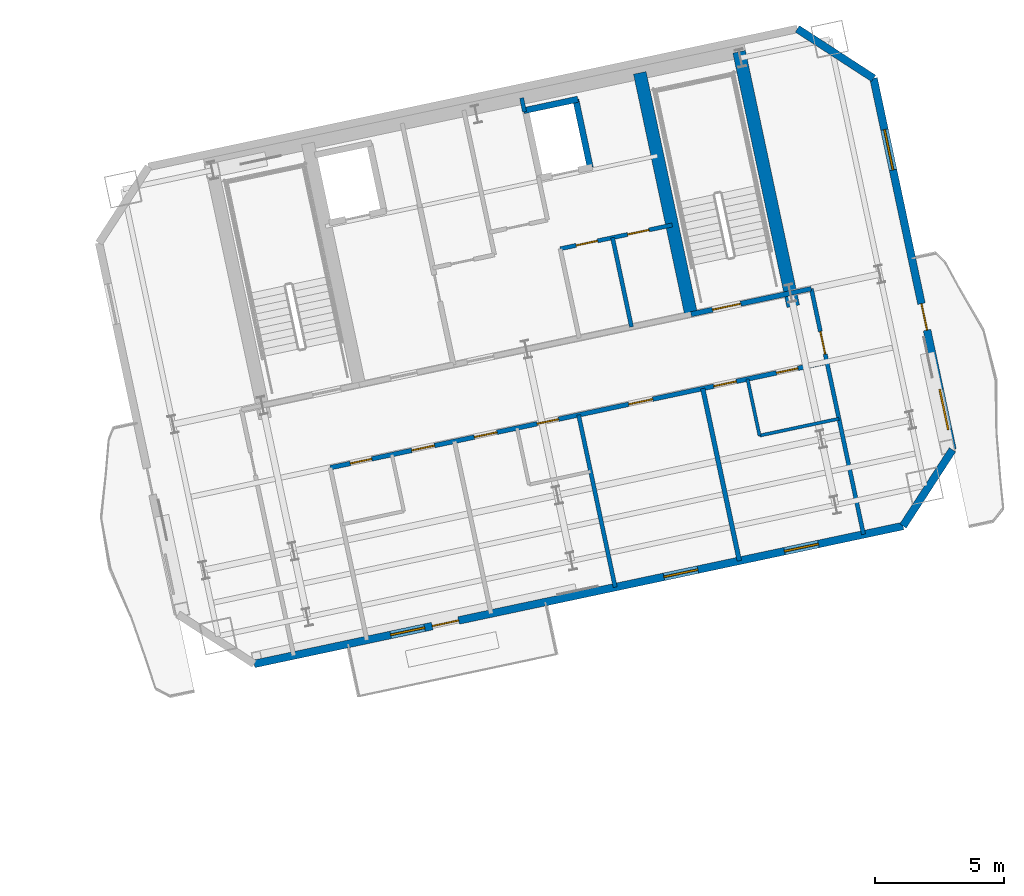
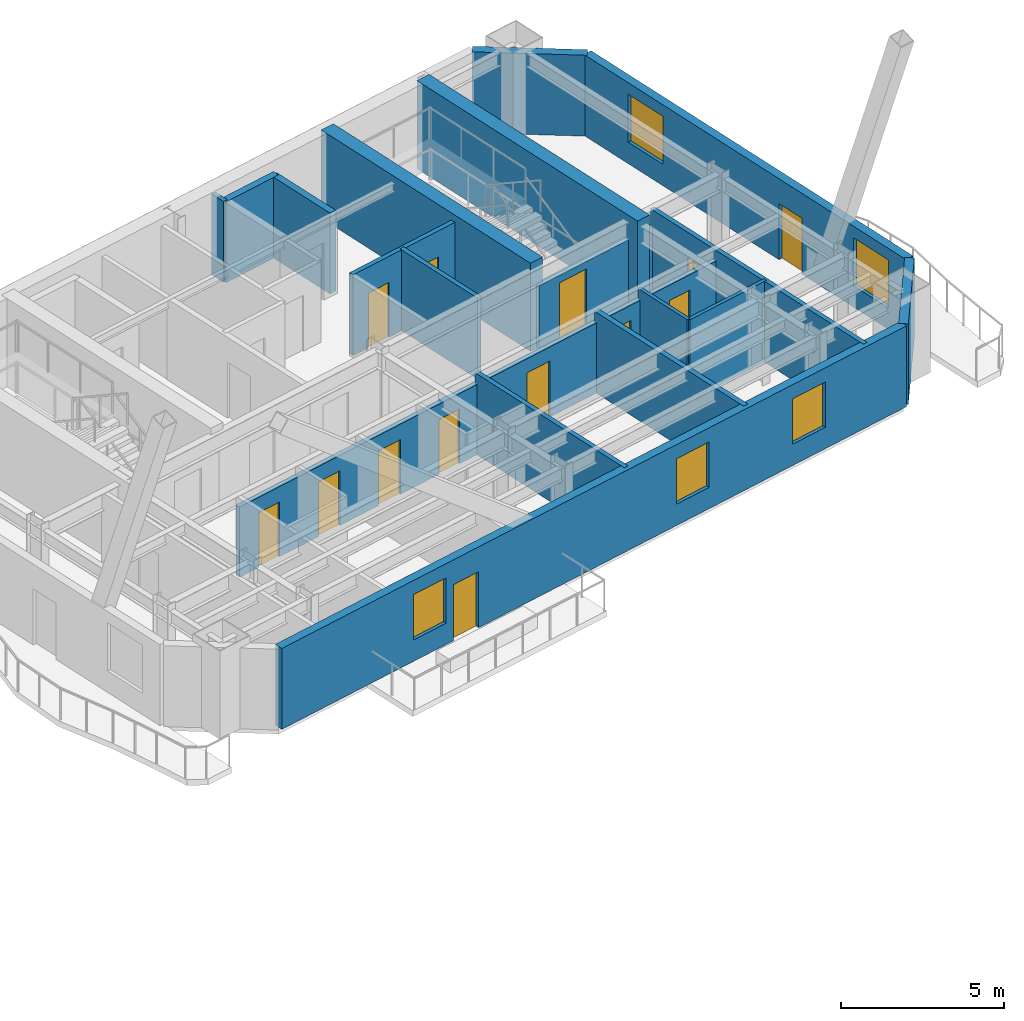
# One storey, part 8 of 13: 19 walls, 13 doors, 5 windows, 18 openings.
"""IFC4 building model written with IfcOpenShell, lengths in metres."""

import ifcopenshell
import ifcopenshell.guid

model = None  # the IFC model being written
_history = None  # IfcOwnerHistory: only IFC2X3 demands one
_inside = {}  # id of a spatial element -> (the spatial element, [elements in it])
_under = {}  # id of a project, library or spatial element -> (it, [spatial elements below it])
_declared = {}  # id of a project -> (the project, [libraries it declares])
_typed = {}  # id of a type object -> (the type object, [elements of that type])
_made_of = {}  # id of a material, layer set ... -> (it, [elements and type objects made of it])


def new_model(schema):
    """Start an empty IFC model of exactly this schema.

    Asked for "IFC4X3", IfcOpenShell would pick the latest addendum, in which some entities
    have other attributes; the version numbers below select the first issue.
    IFC2X3 requires an IfcOwnerHistory on every rooted entity: one is made here for all.
    """
    global model, _history
    if schema == "IFC4X3":
        model = ifcopenshell.file(schema_version=(4, 3, 0, 0))
    else:
        model = ifcopenshell.file(schema=schema)
    _inside.clear()
    _under.clear()
    _declared.clear()
    _typed.clear()
    _made_of.clear()
    _history = None
    if model.schema == "IFC2X3":
        org = make("IfcOrganization", Name="unknown")
        user = make(
            "IfcPersonAndOrganization",
            ThePerson=make("IfcPerson", FamilyName="unknown"),
            TheOrganization=org,
        )
        app = make(
            "IfcApplication",
            ApplicationDeveloper=org,
            Version="unknown",
            ApplicationFullName="unknown",
            ApplicationIdentifier="unknown",
        )
        _history = make(
            "IfcOwnerHistory",
            OwningUser=user,
            OwningApplication=app,
            ChangeAction="ADDED",
            CreationDate=0,
        )
    return model


def make(cls, **values):
    """One entity of the class cls with the attributes given. An attribute that is None is left unset."""
    return model.create_entity(
        cls, **{name: value for name, value in values.items() if value is not None}
    )


def rooted(cls, **values):
    """An entity with a GlobalId (a new one), such as an element, a storey or a relation."""
    return make(cls, GlobalId=ifcopenshell.guid.new(), OwnerHistory=_history, **values)


def si_unit(unit_type, name, prefix=None):
    """IfcSIUnit, for example si_unit("LENGTHUNIT", "METRE", prefix="MILLI")."""
    return make("IfcSIUnit", UnitType=unit_type, Prefix=prefix, Name=name)


def assignment(units):
    """IfcUnitAssignment: the units of a project."""
    return None if units is None else make("IfcUnitAssignment", Units=units)


def point(xyz):
    """IfcCartesianPoint."""
    return None if xyz is None else make("IfcCartesianPoint", Coordinates=xyz)


def direction(xyz):
    """IfcDirection."""
    return None if xyz is None else make("IfcDirection", DirectionRatios=xyz)


def frame(location, z_axis=None, x_axis=None):
    """IfcAxis2Placement3D, a coordinate frame: its origin and axes. An axis left out is left unset."""
    return make(
        "IfcAxis2Placement3D",
        Location=point(location),
        Axis=direction(z_axis),
        RefDirection=direction(x_axis),
    )


def frame_2d(location, x_axis=None):
    """IfcAxis2Placement2D, a coordinate frame in the plane: its origin and x axis."""
    return make(
        "IfcAxis2Placement2D", Location=point(location), RefDirection=direction(x_axis)
    )


def origin():
    """The frame at (0, 0, 0) with its axes left unset."""
    return frame((0.0, 0.0, 0.0))


def place(relative_to, where):
    """IfcLocalPlacement: puts the frame where relative to a parent placement (None: the world)."""
    return make(
        "IfcLocalPlacement", PlacementRelTo=relative_to, RelativePlacement=where
    )


def context(
    kind, dimensions, precision=None, world=None, true_north=None, identifier=None
):
    """IfcGeometricRepresentationContext, for example the 3D "Model" context."""
    return make(
        "IfcGeometricRepresentationContext",
        ContextIdentifier=identifier,
        ContextType=kind,
        CoordinateSpaceDimension=dimensions,
        Precision=precision,
        WorldCoordinateSystem=world,
        TrueNorth=true_north,
    )


def subcontext(parent, identifier, kind, view, scale=None):
    """IfcGeometricRepresentationSubContext, for example "Body" below "Model"."""
    return make(
        "IfcGeometricRepresentationSubContext",
        ContextIdentifier=identifier,
        ContextType=kind,
        ParentContext=parent,
        TargetScale=scale,
        TargetView=view,
    )


def project(units=None, contexts=None):
    """IfcProject with its units and contexts."""
    return rooted(
        "IfcProject",
        Name="project",
        RepresentationContexts=contexts,
        UnitsInContext=assignment(units),
    )


def spatial(cls, under=None, at=None, **own):
    """A site, building, storey or space (cls), placed at a placement, below another one or the project."""
    s = rooted(cls, ObjectPlacement=at, **own)
    if under is not None:
        _under.setdefault(under.id(), (under, []))[1].append(s)
    return s


def profile(cls, at=None, kind="AREA", **sizes):
    """A parametric profile (cls). Its sizes go by their IFC names, for example OverallWidth=200.0."""
    return make(cls, ProfileType=kind, Position=at, **sizes)


def rectangle(**sizes):
    """IfcRectangleProfileDef."""
    return profile("IfcRectangleProfileDef", **sizes)


def extrude(swept, where, along, depth):
    """IfcExtrudedAreaSolid: the profile swept, set in the frame where, extruded along a direction by depth."""
    return make(
        "IfcExtrudedAreaSolid",
        SweptArea=swept,
        Position=where,
        ExtrudedDirection=direction(along),
        Depth=depth,
    )


def shape(context_of_items, identifier, shape_type, items):
    """IfcShapeRepresentation: the items that make up one representation, for example the "Body"."""
    return make(
        "IfcShapeRepresentation",
        ContextOfItems=context_of_items,
        RepresentationIdentifier=identifier,
        RepresentationType=shape_type,
        Items=items,
    )


def material(Name=None, Category=None):
    """IfcMaterial."""
    return make("IfcMaterial", Name=Name, Category=Category)


def layer(
    of_material, thickness, ventilated=None, Name=None, Category=None, Priority=None
):
    """IfcMaterialLayer: one layer of a wall or slab, of a material (None: an air gap)."""
    return make(
        "IfcMaterialLayer",
        Material=of_material,
        LayerThickness=thickness,
        IsVentilated=ventilated,
        Name=Name,
        Category=Category,
        Priority=Priority,
    )


def layer_set(layers, Name=None):
    """IfcMaterialLayerSet."""
    return make("IfcMaterialLayerSet", MaterialLayers=layers, LayerSetName=Name)


def made_of(thing, what):
    """Note that an element or type object is made of a material, layer set ...; save() writes the relation."""
    if what is not None:
        _made_of.setdefault(what.id(), (what, []))[1].append(thing)
    return thing


def type_object(cls, material=None, **own):
    """A type object (cls), such as IfcWallType, which elements share."""
    return made_of(rooted(cls, **own), material)


def element(
    cls,
    number,
    at=None,
    inside=None,
    cuts=None,
    type_object=None,
    material=None,
    context=None,
    identifier="Body",
    shape_type=None,
    held_by="IfcProductDefinitionShape",
    body=None,
    shapes=None,
    **own,
):
    """One element of the class cls, such as IfcWall. Its Tag is "e" and its number.

    at: its placement. inside: the storey or other place that contains it. cuts: it is an
    opening in that element (IfcRelVoidsElement). A single representation is given by context,
    identifier, shape_type and body (its items); several are given by shapes. held_by: the class
    of the entity that holds the representations. save() writes the other relations.
    """
    e = rooted(cls, Tag="e%d" % number, ObjectPlacement=at, **own)
    if body is not None:
        shapes = [shape(context, identifier, shape_type, body)]
    if shapes is not None:
        e.Representation = make(held_by, Representations=shapes)
    if inside is not None:
        _inside.setdefault(inside.id(), (inside, []))[1].append(e)
    if cuts is not None:
        rooted(
            "IfcRelVoidsElement", RelatingBuildingElement=cuts, RelatedOpeningElement=e
        )
    if type_object is not None:
        _typed.setdefault(type_object.id(), (type_object, []))[1].append(e)
    return made_of(e, material)


def fill(opening, filler):
    """IfcRelFillsElement: the door or window that sits in an opening."""
    return rooted(
        "IfcRelFillsElement",
        RelatingOpeningElement=opening,
        RelatedBuildingElement=filler,
    )


def aggregate(whole, parts):
    """IfcRelAggregates: a whole, such as a stair, and the parts it consists of."""
    return rooted("IfcRelAggregates", RelatingObject=whole, RelatedObjects=parts)


def save(model, path):
    """Write the relations noted so far, then the file.

    IfcRelAggregates (storeys below a building ...), IfcRelContainedInSpatialStructure (elements
    in a storey), IfcRelDefinesByType, IfcRelAssociatesMaterial and IfcRelDeclares: one each for
    every whole, place, type object, material and project.
    """
    for whole, parts in _under.values():
        aggregate(whole, parts)
    for where, things in _inside.values():
        rooted(
            "IfcRelContainedInSpatialStructure",
            RelatedElements=things,
            RelatingStructure=where,
        )
    for kind, things in _typed.values():
        rooted("IfcRelDefinesByType", RelatedObjects=things, RelatingType=kind)
    for what, things in _made_of.values():
        rooted("IfcRelAssociatesMaterial", RelatedObjects=things, RelatingMaterial=what)
    for by, libraries in _declared.values():
        rooted("IfcRelDeclares", RelatingContext=by, RelatedDefinitions=libraries)
    model.write(path)


model = new_model("IFC4")

# Units and contexts
model_context = context("Model", 3, precision=1e-05, world=origin(), true_north=direction((0.0, 1.0)))
body_context = subcontext(model_context, "Body", "Model", "MODEL_VIEW")
ifc_project = project(units=[si_unit("LENGTHUNIT", "METRE"), si_unit("AREAUNIT", "SQUARE_METRE"), si_unit("VOLUMEUNIT", "CUBIC_METRE"), si_unit("PLANEANGLEUNIT", "RADIAN"), si_unit("MASSUNIT", "GRAM", prefix="KILO")], contexts=[model_context])

# Site, building, storey
site_placement = place(None, origin())
site = spatial("IfcSite", under=ifc_project, at=site_placement, CompositionType="ELEMENT")
building_placement = place(site_placement, origin())
building = spatial("IfcBuilding", under=site, at=building_placement, Name="Haevon Station Towers", CompositionType="ELEMENT")
storey_placement = place(building_placement, frame((0.0, 0.0, 185.699951171875)))
storey = spatial("IfcBuildingStorey", under=building, at=storey_placement, Name="L51", CompositionType="ELEMENT", Elevation=185.699951171875)

# Walls
ifc_material_1 = material(Name="Gypsum board on steel stud", Category="steel")
ifc_layer_1 = layer(ifc_material_1, 0.179931640625)
ifc_layer_set_1 = layer_set([ifc_layer_1], Name="Gypsum board on steel stud")
wall_type_1 = type_object("IfcWallType", Name="WL-ACU180", PredefinedType="PARTITIONING", material=ifc_layer_set_1)
wall_1_placement = place(storey_placement, frame((119.29345703125, 41.80859375, 0.0), z_axis=(0.0, 0.0, 1.0), x_axis=(0.978132675688, 0.207981895251, 0.0)))
element("IfcWall", 1, at=wall_1_placement, inside=storey, type_object=wall_type_1, Name="WL-T2PT-L51-03", PredefinedType="PARTITIONING", context=body_context, shape_type="SweptSolid", body=[
    extrude(rectangle(XDim=0.829833984375, YDim=0.179931640625, at=frame_2d((0.4150390625, 0.0))), origin(), (0.0, 0.0, 1.0), 2.380126953125),
])
wall_2_placement = place(storey_placement, frame((117.306884765625, 31.39794921875, 0.0), z_axis=(0.0, 0.0, 1.0), x_axis=(-0.207890725014, 0.978152056918, 0.0)))
element("IfcWall", 2, at=wall_2_placement, inside=storey, type_object=wall_type_1, Name="WL-T2PT-L51-12", PredefinedType="PARTITIONING", context=body_context, shape_type="SweptSolid", body=[
    extrude(rectangle(XDim=6.85009765625, YDim=0.179931640625, at=frame_2d((3.425048828125, 0.0))), origin(), (0.0, 0.0, 1.0), 3.030029296875),
])

# Wall, openings, doors
wall_3_placement = place(storey_placement, frame((101.39404296875, 35.0185546875, 0.0), z_axis=(0.0, 0.0, 1.0), x_axis=(0.978145528215, 0.207921441014, 0.0)))
wall_3 = element("IfcWall", 3, at=wall_3_placement, inside=storey, type_object=wall_type_1, Name="WL-T2PT-L51-15", PredefinedType="PARTITIONING", context=body_context, shape_type="SweptSolid", body=[
    extrude(rectangle(XDim=19.75, YDim=0.179931640625, at=frame_2d((9.875, 0.0))), origin(), (0.0, 0.0, 1.0), 2.630126953125),
])
opening_1_placement = place(wall_3_placement, frame((0.800048828125, 0.0, 0.0)))
opening_1 = element("IfcOpeningElement", 4, at=opening_1_placement, cuts=wall_3, Name="Opening DR-WL-T2PT-L51-15-01", PredefinedType="OPENING", context=body_context, shape_type="SweptSolid", body=[
    extrude(rectangle(XDim=0.85009765625, YDim=2.050048828125, at=frame_2d((0.425048828125, 1.02490234375))), frame((0.0, 0.099853515625, 0.0), z_axis=(0.0, -1.0, 0.0), x_axis=(1.0, 0.0, 0.0)), (0.0, 0.0, 1.0), 0.199951171875),
])
opening_2_placement = place(wall_3_placement, frame((3.243896484375, 0.0, 0.0)))
opening_2 = element("IfcOpeningElement", 5, at=opening_2_placement, cuts=wall_3, Name="Opening DR-WL-T2PT-L51-15-02", PredefinedType="OPENING", context=body_context, shape_type="SweptSolid", body=[
    extrude(rectangle(XDim=0.89990234375, YDim=2.050048828125, at=frame_2d((0.449951171875, 1.02490234375))), frame((0.0, 0.099853515625, 0.0), z_axis=(0.0, -1.0, 0.0), x_axis=(1.0, 0.0, 0.0)), (0.0, 0.0, 1.0), 0.199951171875),
])
opening_3_placement = place(wall_3_placement, frame((8.22509765625, 0.0, 0.0)))
opening_3 = element("IfcOpeningElement", 6, at=opening_3_placement, cuts=wall_3, Name="Opening DR-WL-T2PT-L51-15-03", PredefinedType="OPENING", context=body_context, shape_type="SweptSolid", body=[
    extrude(rectangle(XDim=0.85009765625, YDim=2.050048828125, at=frame_2d((0.425048828125, 1.02490234375))), frame((0.0, 0.099853515625, 0.0), z_axis=(0.0, -1.0, 0.0), x_axis=(1.0, 0.0, 0.0)), (0.0, 0.0, 1.0), 0.199951171875),
])
opening_4_placement = place(wall_3_placement, frame((5.73095703125, 0.0, 0.0)))
opening_4 = element("IfcOpeningElement", 7, at=opening_4_placement, cuts=wall_3, Name="Opening DR-WL-T2PT-L51-15-04", PredefinedType="OPENING", context=body_context, shape_type="SweptSolid", body=[
    extrude(rectangle(XDim=0.89990234375, YDim=2.050048828125, at=frame_2d((0.449951171875, 1.02490234375))), frame((0.0, 0.099853515625, 0.0), z_axis=(0.0, -1.0, 0.0), x_axis=(1.0, 0.0, 0.0)), (0.0, 0.0, 1.0), 0.199951171875),
])
opening_5_placement = place(wall_3_placement, frame((11.868896484375, 0.0, 0.0)))
opening_5 = element("IfcOpeningElement", 8, at=opening_5_placement, cuts=wall_3, Name="Opening DR-WL-T2PT-L51-15-05", PredefinedType="OPENING", context=body_context, shape_type="SweptSolid", body=[
    extrude(rectangle(XDim=0.949951171875, YDim=2.10009765625, at=frame_2d((0.47509765625, 1.050048828125))), frame((0.0, 0.099853515625, 0.0), z_axis=(0.0, -1.0, 0.0), x_axis=(1.0, 0.0, 0.0)), (0.0, 0.0, 1.0), 0.199951171875),
])
opening_6_placement = place(wall_3_placement, frame((17.74609375, 0.0, 0.0)))
opening_6 = element("IfcOpeningElement", 9, at=opening_6_placement, cuts=wall_3, Name="Opening DR-WL-T2PT-L51-15-06", PredefinedType="OPENING", context=body_context, shape_type="SweptSolid", body=[
    extrude(rectangle(XDim=0.85009765625, YDim=2.050048828125, at=frame_2d((0.425048828125, 1.02490234375))), frame((0.0, 0.099853515625, 0.0), z_axis=(0.0, -1.0, 0.0), x_axis=(1.0, 0.0, 0.0)), (0.0, 0.0, 1.0), 0.199951171875),
])
opening_7_placement = place(wall_3_placement, frame((15.2529296875, 0.0, 0.0)))
opening_7 = element("IfcOpeningElement", 10, at=opening_7_placement, cuts=wall_3, Name="Opening DR-WL-T2PT-L51-15-07", PredefinedType="OPENING", context=body_context, shape_type="SweptSolid", body=[
    extrude(rectangle(XDim=0.89990234375, YDim=2.050048828125, at=frame_2d((0.449951171875, 1.02490234375))), frame((0.0, 0.099853515625, 0.0), z_axis=(0.0, -1.0, 0.0), x_axis=(1.0, 0.0, 0.0)), (0.0, 0.0, 1.0), 0.199951171875),
])
ifc_material_2 = material(Name="Engineered oak timber", Category="wood")
door_type_1 = type_object("IfcDoorType", Name="DR-FD30-850", OperationType="NOTDEFINED", PredefinedType="DOOR", material=ifc_material_2)
door_1_placement = place(opening_1_placement, origin())
door_1 = element("IfcDoor", 11, at=door_1_placement, inside=storey, type_object=door_type_1, Name="L51 Tower 2 Room Door 15-1", OperationType="SINGLE_SWING_RIGHT", OverallHeight=2.050048828125, OverallWidth=0.85009765625, PredefinedType="DOOR", context=body_context, shape_type="SweptSolid", body=[
    extrude(rectangle(XDim=0.85009765625, YDim=2.050048828125, at=frame_2d((0.425048828125, 1.02490234375))), frame((0.0, 0.02490234375, 0.0), z_axis=(0.0, -1.0, 0.0), x_axis=(1.0, 0.0, 0.0)), (0.0, 0.0, 1.0), 0.050048828125),
])
fill(opening_1, door_1)
door_2_placement = place(opening_3_placement, origin())
door_2 = element("IfcDoor", 12, at=door_2_placement, inside=storey, type_object=door_type_1, Name="L51 Tower 2 Room Door 15-3", OperationType="SINGLE_SWING_RIGHT", OverallHeight=2.050048828125, OverallWidth=0.85009765625, PredefinedType="DOOR", context=body_context, shape_type="SweptSolid", body=[
    extrude(rectangle(XDim=0.85009765625, YDim=2.050048828125, at=frame_2d((0.425048828125, 1.02490234375))), frame((0.0, 0.02490234375, 0.0), z_axis=(0.0, -1.0, 0.0), x_axis=(1.0, 0.0, 0.0)), (0.0, 0.0, 1.0), 0.050048828125),
])
fill(opening_3, door_2)
door_3_placement = place(opening_6_placement, origin())
door_3 = element("IfcDoor", 13, at=door_3_placement, inside=storey, type_object=door_type_1, Name="L51 Tower 2 Room Door 15-6", OperationType="SINGLE_SWING_LEFT", OverallHeight=2.050048828125, OverallWidth=0.85009765625, PredefinedType="DOOR", context=body_context, shape_type="SweptSolid", body=[
    extrude(rectangle(XDim=0.85009765625, YDim=2.050048828125, at=frame_2d((0.425048828125, 1.02490234375))), frame((0.0, 0.02490234375, 0.0), z_axis=(0.0, -1.0, 0.0), x_axis=(1.0, 0.0, 0.0)), (0.0, 0.0, 1.0), 0.050048828125),
])
fill(opening_6, door_3)
door_type_2 = type_object("IfcDoorType", Name="DR-FD30-950", OperationType="NOTDEFINED", PredefinedType="DOOR", material=ifc_material_2)
door_4_placement = place(opening_5_placement, origin())
door_4 = element("IfcDoor", 14, at=door_4_placement, inside=storey, type_object=door_type_2, Name="L51 Tower 2 Room Door 15-5", OperationType="SINGLE_SWING_RIGHT", OverallHeight=2.10009765625, OverallWidth=0.949951171875, PredefinedType="DOOR", context=body_context, shape_type="SweptSolid", body=[
    extrude(rectangle(XDim=0.949951171875, YDim=2.10009765625, at=frame_2d((0.47509765625, 1.050048828125))), frame((0.0, 0.02490234375, 0.0), z_axis=(0.0, -1.0, 0.0), x_axis=(1.0, 0.0, 0.0)), (0.0, 0.0, 1.0), 0.050048828125),
])
fill(opening_5, door_4)
door_type_3 = type_object("IfcDoorType", Name="DR-INT-900", OperationType="NOTDEFINED", PredefinedType="DOOR", material=ifc_material_2)
door_5_placement = place(opening_2_placement, origin())
door_5 = element("IfcDoor", 15, at=door_5_placement, inside=storey, type_object=door_type_3, Name="L51 Tower 2 Room Door 15-2", OperationType="SINGLE_SWING_LEFT", OverallHeight=2.050048828125, OverallWidth=0.89990234375, PredefinedType="DOOR", context=body_context, shape_type="SweptSolid", body=[
    extrude(rectangle(XDim=0.89990234375, YDim=2.050048828125, at=frame_2d((0.449951171875, 1.02490234375))), frame((0.0, 0.02490234375, 0.0), z_axis=(0.0, -1.0, 0.0), x_axis=(1.0, 0.0, 0.0)), (0.0, 0.0, 1.0), 0.050048828125),
])
fill(opening_2, door_5)
door_6_placement = place(opening_4_placement, origin())
door_6 = element("IfcDoor", 16, at=door_6_placement, inside=storey, type_object=door_type_3, Name="L51 Tower 2 Room Door 15-4", OperationType="SINGLE_SWING_LEFT", OverallHeight=2.050048828125, OverallWidth=0.89990234375, PredefinedType="DOOR", context=body_context, shape_type="SweptSolid", body=[
    extrude(rectangle(XDim=0.89990234375, YDim=2.050048828125, at=frame_2d((0.449951171875, 1.02490234375))), frame((0.0, 0.02490234375, 0.0), z_axis=(0.0, -1.0, 0.0), x_axis=(1.0, 0.0, 0.0)), (0.0, 0.0, 1.0), 0.050048828125),
])
fill(opening_4, door_6)
door_7_placement = place(opening_7_placement, origin())
door_7 = element("IfcDoor", 17, at=door_7_placement, inside=storey, type_object=door_type_3, Name="L51 Tower 2 Room Door 15-7", OperationType="SINGLE_SWING_RIGHT", OverallHeight=2.050048828125, OverallWidth=0.89990234375, PredefinedType="DOOR", context=body_context, shape_type="SweptSolid", body=[
    extrude(rectangle(XDim=0.89990234375, YDim=2.050048828125, at=frame_2d((0.449951171875, 1.02490234375))), frame((0.0, 0.02490234375, 0.0), z_axis=(0.0, -1.0, 0.0), x_axis=(1.0, 0.0, 0.0)), (0.0, 0.0, 1.0), 0.050048828125),
])
fill(opening_7, door_7)

# Wall, opening, door
ifc_layer_2 = layer(ifc_material_1, 0.199951171875)
ifc_layer_set_2 = layer_set([ifc_layer_2], Name="Gypsum board on steel stud")
wall_type_2 = type_object("IfcWallType", Name="WL-COR200", PredefinedType="PARTITIONING", material=ifc_layer_set_2)
wall_4_placement = place(storey_placement, frame((115.4296875, 40.9873046875, 0.0), z_axis=(0.0, 0.0, 1.0), x_axis=(0.978146596989, 0.207916413008, 0.0)))
wall_4 = element("IfcWall", 18, at=wall_4_placement, inside=storey, type_object=wall_type_2, Name="WL-ST-ST4-L51", PredefinedType="PARTITIONING", context=body_context, shape_type="SweptSolid", body=[
    extrude(rectangle(XDim=3.9501953125, YDim=0.199951171875, at=frame_2d((1.97509765625, 0.0))), origin(), (0.0, 0.0, 1.0), 2.380126953125),
])
opening_8_placement = place(wall_4_placement, frame((0.85009765625, 0.0, 0.0)))
opening_8 = element("IfcOpeningElement", 19, at=opening_8_placement, cuts=wall_4, Name="Opening DR-ST-ST4-L51", PredefinedType="OPENING", context=body_context, shape_type="SweptSolid", body=[
    extrude(rectangle(XDim=1.1201171875, YDim=2.10009765625, at=frame_2d((0.56005859375, 1.050048828125))), frame((0.0, 0.10986328125, 0.0), z_axis=(0.0, -1.0, 0.0), x_axis=(1.0, 0.0, 0.0)), (0.0, 0.0, 1.0), 0.219970703125),
])
door_type_4 = type_object("IfcDoorType", Name="DR-ST-1120", OperationType="NOTDEFINED", PredefinedType="DOOR", material=ifc_material_2)
door_8_placement = place(opening_8_placement, origin())
door_8 = element("IfcDoor", 20, at=door_8_placement, inside=storey, type_object=door_type_4, Name="L51 Escape Stair ST4 Fire Door", OperationType="SINGLE_SWING_RIGHT", OverallHeight=2.10009765625, OverallWidth=1.1201171875, PredefinedType="DOOR", context=body_context, shape_type="SweptSolid", body=[
    extrude(rectangle(XDim=1.1201171875, YDim=2.10009765625, at=frame_2d((0.56005859375, 1.050048828125))), frame((0.0, 0.02490234375, 0.0), z_axis=(0.0, -1.0, 0.0), x_axis=(1.0, 0.0, 0.0)), (0.0, 0.0, 1.0), 0.050048828125),
])
fill(opening_8, door_8)

# Walls
ifc_material_3 = material(Name="Concrete C60/75", Category="concrete")
ifc_layer_3 = layer(ifc_material_3, 0.5)
ifc_layer_set_3 = layer_set([ifc_layer_3], Name="Concrete C60/75")
wall_type_3 = type_object("IfcWallType", Name="WL-CR500", PredefinedType="SHEAR", material=ifc_layer_set_3)
wall_5_placement = place(storey_placement, frame((119.401611328125, 41.2998046875, 0.0), z_axis=(0.0, 0.0, 1.0), x_axis=(-0.207904342798, 0.978149162575, 0.0)))
element("IfcWall", 21, at=wall_5_placement, inside=storey, type_object=wall_type_3, Name="WL-T2CR-L51-E", PredefinedType="SHEAR", context=body_context, shape_type="SweptSolid", body=[
    extrude(rectangle(XDim=10.1201171875, YDim=0.5, at=frame_2d((5.06005859375, 0.0))), origin(), (0.0, 0.0, 1.0), 3.300048828125),
])
wall_6_placement = place(storey_placement, frame((115.4296875, 40.9873046875, 0.0), z_axis=(0.0, 0.0, 1.0), x_axis=(-0.207903162969, 0.978149413345, 0.0)))
element("IfcWall", 22, at=wall_6_placement, inside=storey, type_object=wall_type_3, Name="WL-T2CR-L51-M2", PredefinedType="SHEAR", context=body_context, shape_type="SweptSolid", body=[
    extrude(rectangle(XDim=9.599853515625, YDim=0.5, at=frame_2d((4.7998046875, 0.0))), origin(), (0.0, 0.0, 1.0), 3.300048828125),
])

# Wall, openings, door, windows
ifc_material_4 = material(Name="Precast concrete C45/55", Category="concrete")
ifc_layer_4 = layer(ifc_material_4, 0.300048828125)
ifc_layer_set_4 = layer_set([ifc_layer_4], Name="Precast concrete C45/55")
wall_type_4 = type_object("IfcWallType", Name="WL-EXT-PIER300", PredefinedType="SOLIDWALL", material=ifc_layer_set_4)
wall_7_placement = place(storey_placement, frame((123.67236328125, 32.7509765625, 0.0), z_axis=(0.0, 0.0, 1.0), x_axis=(-0.978148652743, -0.207906741442, 0.0)))
wall_7 = element("IfcWall", 23, at=wall_7_placement, inside=storey, type_object=wall_type_4, Name="WL-T2-L51-S", PredefinedType="SOLIDWALL", context=body_context, shape_type="SweptSolid", body=[
    extrude(rectangle(XDim=25.800048828125, YDim=0.300048828125, at=frame_2d((12.89990234375, 0.0))), origin(), (0.0, 0.0, 1.0), 3.030029296875),
])
opening_9_placement = place(wall_7_placement, frame((17.67236328125, 0.0, 0.0)))
opening_9 = element("IfcOpeningElement", 24, at=opening_9_placement, cuts=wall_7, Name="Opening DR-T2-PBAND-L51-1", PredefinedType="OPENING", context=body_context, shape_type="SweptSolid", body=[
    extrude(rectangle(XDim=1.050048828125, YDim=2.10009765625, at=frame_2d((0.52490234375, 1.050048828125))), frame((0.0, 0.159912109375, 0.0), z_axis=(0.0, -1.0, 0.0), x_axis=(1.0, 0.0, 0.0)), (0.0, 0.0, 1.0), 0.320068359375),
])
opening_10_placement = place(wall_7_placement, frame((19.0244140625, 0.0, 0.800048828125)))
opening_10 = element("IfcOpeningElement", 25, at=opening_10_placement, cuts=wall_7, Name="Opening WN-P135", PredefinedType="OPENING", context=body_context, shape_type="SweptSolid", body=[
    extrude(rectangle(XDim=1.35009765625, YDim=1.699951171875, at=frame_2d((0.675048828125, 0.85009765625))), frame((0.0, 0.159912109375, 0.0), z_axis=(0.0, -1.0, 0.0), x_axis=(1.0, 0.0, 0.0)), (0.0, 0.0, 1.0), 0.320068359375),
])
opening_11_placement = place(wall_7_placement, frame((8.159912109375, 0.0, 0.800048828125)))
opening_11 = element("IfcOpeningElement", 26, at=opening_11_placement, cuts=wall_7, Name="Opening WN-P135", PredefinedType="OPENING", context=body_context, shape_type="SweptSolid", body=[
    extrude(rectangle(XDim=1.35009765625, YDim=1.699951171875, at=frame_2d((0.675048828125, 0.85009765625))), frame((0.0, 0.159912109375, 0.0), z_axis=(0.0, -1.0, 0.0), x_axis=(1.0, 0.0, 0.0)), (0.0, 0.0, 1.0), 0.320068359375),
])
opening_12_placement = place(wall_7_placement, frame((3.36376953125, 0.0, 0.800048828125)))
opening_12 = element("IfcOpeningElement", 27, at=opening_12_placement, cuts=wall_7, Name="Opening WN-P135", PredefinedType="OPENING", context=body_context, shape_type="SweptSolid", body=[
    extrude(rectangle(XDim=1.35009765625, YDim=1.699951171875, at=frame_2d((0.675048828125, 0.85009765625))), frame((0.0, 0.159912109375, 0.0), z_axis=(0.0, -1.0, 0.0), x_axis=(1.0, 0.0, 0.0)), (0.0, 0.0, 1.0), 0.320068359375),
])
ifc_material_5 = material(Name="Thermally broken anodised aluminium and laminated safety glass", Category="aluminium")
door_type_5 = type_object("IfcDoorType", Name="DR-BALC-1050", OperationType="NOTDEFINED", PredefinedType="DOOR", material=ifc_material_5)
door_9_placement = place(opening_9_placement, origin())
door_9 = element("IfcDoor", 28, at=door_9_placement, inside=storey, type_object=door_type_5, Name="Tower 2 L51 Balcony Terrace Door", OperationType="SINGLE_SWING_LEFT", OverallHeight=2.10009765625, OverallWidth=1.050048828125, PredefinedType="DOOR", context=body_context, shape_type="SweptSolid", body=[
    extrude(rectangle(XDim=1.050048828125, YDim=2.10009765625, at=frame_2d((0.52490234375, 1.050048828125))), frame((0.0, 0.02490234375, 0.0), z_axis=(0.0, -1.0, 0.0), x_axis=(1.0, 0.0, 0.0)), (0.0, 0.0, 1.0), 0.050048828125),
])
fill(opening_9, door_9)
ifc_material_6 = material(Name="Low-E triple glazing in thermally broken aluminium", Category="aluminium")
window_type_1 = type_object("IfcWindowType", Name="WN-P135", PartitioningType="SINGLE_PANEL", PredefinedType="WINDOW", material=ifc_material_6)
window_1_placement = place(opening_10_placement, origin())
window_1 = element("IfcWindow", 29, at=window_1_placement, inside=storey, type_object=window_type_1, Name="WN-T2-L51-S01", OverallHeight=1.699951171875, OverallWidth=1.35009765625, PartitioningType="SINGLE_PANEL", PredefinedType="WINDOW", context=body_context, shape_type="SweptSolid", body=[
    extrude(rectangle(XDim=1.35009765625, YDim=1.699951171875, at=frame_2d((0.675048828125, 0.85009765625))), frame((0.0, 0.030029296875, 0.0), z_axis=(0.0, -1.0, 0.0), x_axis=(1.0, 0.0, 0.0)), (0.0, 0.0, 1.0), 0.06005859375),
])
fill(opening_10, window_1)
window_2_placement = place(opening_11_placement, origin())
window_2 = element("IfcWindow", 30, at=window_2_placement, inside=storey, type_object=window_type_1, Name="WN-T2-L51-S02", OverallHeight=1.699951171875, OverallWidth=1.35009765625, PartitioningType="SINGLE_PANEL", PredefinedType="WINDOW", context=body_context, shape_type="SweptSolid", body=[
    extrude(rectangle(XDim=1.35009765625, YDim=1.699951171875, at=frame_2d((0.675048828125, 0.85009765625))), frame((0.0, 0.030029296875, 0.0), z_axis=(0.0, -1.0, 0.0), x_axis=(1.0, 0.0, 0.0)), (0.0, 0.0, 1.0), 0.06005859375),
])
fill(opening_11, window_2)
window_3_placement = place(opening_12_placement, origin())
window_3 = element("IfcWindow", 31, at=window_3_placement, inside=storey, type_object=window_type_1, Name="WN-T2-L51-S03", OverallHeight=1.699951171875, OverallWidth=1.35009765625, PartitioningType="SINGLE_PANEL", PredefinedType="WINDOW", context=body_context, shape_type="SweptSolid", body=[
    extrude(rectangle(XDim=1.35009765625, YDim=1.699951171875, at=frame_2d((0.675048828125, 0.85009765625))), frame((0.0, 0.030029296875, 0.0), z_axis=(0.0, -1.0, 0.0), x_axis=(1.0, 0.0, 0.0)), (0.0, 0.0, 1.0), 0.06005859375),
])
fill(opening_12, window_3)

# Wall
wall_8_placement = place(storey_placement, frame((119.561767578125, 52.089111328125, 0.0), z_axis=(0.0, 0.0, 1.0), x_axis=(0.838661251934, -0.544653380146, 0.0)))
element("IfcWall", 32, at=wall_8_placement, inside=storey, type_object=wall_type_4, Name="WL-T2-L51-NEC", PredefinedType="SOLIDWALL", context=body_context, shape_type="SweptSolid", body=[
    extrude(rectangle(XDim=3.535888671875, YDim=0.300048828125, at=frame_2d((1.76806640625, 0.0))), origin(), (0.0, 0.0, 1.0), 3.030029296875),
])

# Wall, openings, door, windows
wall_9_placement = place(storey_placement, frame((122.527099609375, 50.163330078125, 0.0), z_axis=(0.0, 0.0, 1.0), x_axis=(0.207911144611, -0.978147716834, 0.0)))
wall_9 = element("IfcWall", 33, at=wall_9_placement, inside=storey, type_object=wall_type_4, Name="WL-T2-L51-E", PredefinedType="SOLIDWALL", context=body_context, shape_type="SweptSolid", body=[
    extrude(rectangle(XDim=14.769775390625, YDim=0.300048828125, at=frame_2d((7.384765625, 0.0))), origin(), (0.0, 0.0, 1.0), 3.030029296875),
])
opening_13_placement = place(wall_9_placement, frame((8.9599609375, 0.0, 0.0)))
opening_13 = element("IfcOpeningElement", 34, at=opening_13_placement, cuts=wall_9, Name="Opening DR-T2-SCAL-L51-E", PredefinedType="OPENING", context=body_context, shape_type="SweptSolid", body=[
    extrude(rectangle(XDim=1.050048828125, YDim=2.10009765625, at=frame_2d((0.52490234375, 1.050048828125))), frame((0.0, 0.159912109375, 0.0), z_axis=(0.0, -1.0, 0.0), x_axis=(1.0, 0.0, 0.0)), (0.0, 0.0, 1.0), 0.320068359375),
])
opening_14_placement = place(wall_9_placement, frame((2.03955078125, 0.0, 0.800048828125)))
opening_14 = element("IfcOpeningElement", 35, at=opening_14_placement, cuts=wall_9, Name="Opening WN-END160", PredefinedType="OPENING", context=body_context, shape_type="SweptSolid", body=[
    extrude(rectangle(XDim=1.60009765625, YDim=1.800048828125, at=frame_2d((0.800048828125, 0.89990234375))), frame((0.0, 0.159912109375, 0.0), z_axis=(0.0, -1.0, 0.0), x_axis=(1.0, 0.0, 0.0)), (0.0, 0.0, 1.0), 0.320068359375),
])
opening_15_placement = place(wall_9_placement, frame((12.3701171875, 0.0, 0.800048828125)))
opening_15 = element("IfcOpeningElement", 36, at=opening_15_placement, cuts=wall_9, Name="Opening WN-END160", PredefinedType="OPENING", context=body_context, shape_type="SweptSolid", body=[
    extrude(rectangle(XDim=1.60009765625, YDim=1.800048828125, at=frame_2d((0.800048828125, 0.89990234375))), frame((0.0, 0.159912109375, 0.0), z_axis=(0.0, -1.0, 0.0), x_axis=(1.0, 0.0, 0.0)), (0.0, 0.0, 1.0), 0.320068359375),
])
door_10_placement = place(opening_13_placement, origin())
door_10 = element("IfcDoor", 37, at=door_10_placement, inside=storey, type_object=door_type_5, Name="Tower 2 L51 East Scalloped Balcony Door", OperationType="SINGLE_SWING_LEFT", OverallHeight=2.10009765625, OverallWidth=1.050048828125, PredefinedType="DOOR", context=body_context, shape_type="SweptSolid", body=[
    extrude(rectangle(XDim=1.050048828125, YDim=2.10009765625, at=frame_2d((0.52490234375, 1.050048828125))), frame((0.0, 0.02490234375, 0.0), z_axis=(0.0, -1.0, 0.0), x_axis=(1.0, 0.0, 0.0)), (0.0, 0.0, 1.0), 0.050048828125),
])
fill(opening_13, door_10)
window_type_2 = type_object("IfcWindowType", Name="WN-END160", PartitioningType="SINGLE_PANEL", PredefinedType="WINDOW", material=ifc_material_6)
window_4_placement = place(opening_14_placement, origin())
window_4 = element("IfcWindow", 38, at=window_4_placement, inside=storey, type_object=window_type_2, Name="WN-T2-L51-E01", OverallHeight=1.800048828125, OverallWidth=1.60009765625, PartitioningType="SINGLE_PANEL", PredefinedType="WINDOW", context=body_context, shape_type="SweptSolid", body=[
    extrude(rectangle(XDim=1.60009765625, YDim=1.800048828125, at=frame_2d((0.800048828125, 0.89990234375))), frame((0.0, 0.030029296875, 0.0), z_axis=(0.0, -1.0, 0.0), x_axis=(1.0, 0.0, 0.0)), (0.0, 0.0, 1.0), 0.06005859375),
])
fill(opening_14, window_4)
window_5_placement = place(opening_15_placement, origin())
window_5 = element("IfcWindow", 39, at=window_5_placement, inside=storey, type_object=window_type_2, Name="WN-T2-L51-E02", OverallHeight=1.800048828125, OverallWidth=1.60009765625, PartitioningType="SINGLE_PANEL", PredefinedType="WINDOW", context=body_context, shape_type="SweptSolid", body=[
    extrude(rectangle(XDim=1.60009765625, YDim=1.800048828125, at=frame_2d((0.800048828125, 0.89990234375))), frame((0.0, 0.030029296875, 0.0), z_axis=(0.0, -1.0, 0.0), x_axis=(1.0, 0.0, 0.0)), (0.0, 0.0, 1.0), 0.06005859375),
])
fill(opening_15, window_5)

# Walls
wall_10_placement = place(storey_placement, frame((125.597900390625, 35.71630859375, 0.0), z_axis=(0.0, 0.0, 1.0), x_axis=(-0.544604812064, -0.838692791597, 0.0)))
element("IfcWall", 40, at=wall_10_placement, inside=storey, type_object=wall_type_4, Name="WL-T2-L51-SEC", PredefinedType="SOLIDWALL", context=body_context, shape_type="SweptSolid", body=[
    extrude(rectangle(XDim=3.53564453125, YDim=0.300048828125, at=frame_2d((1.767822265625, 0.0))), origin(), (0.0, 0.0, 1.0), 3.030029296875),
])
ifc_layer_5 = layer(ifc_material_1, 0.125)
ifc_layer_set_5 = layer_set([ifc_layer_5], Name="Gypsum board on steel stud")
wall_type_5 = type_object("IfcWallType", Name="WL-PRT125", PredefinedType="PARTITIONING", material=ifc_layer_set_5)
wall_11_placement = place(storey_placement, frame((118.091796875, 36.267578125, 0.0), z_axis=(0.0, 0.0, 1.0), x_axis=(0.978145092575, 0.207923490429, 0.0)))
element("IfcWall", 41, at=wall_11_placement, inside=storey, type_object=wall_type_5, Name="WL-T2PT-L51-13", PredefinedType="PARTITIONING", context=body_context, shape_type="SweptSolid", body=[
    extrude(rectangle(XDim=3.157470703125, YDim=0.125, at=frame_2d((1.57861328125, 0.0))), origin(), (0.0, 0.0, 1.0), 3.030029296875),
])
wall_12_placement = place(storey_placement, frame((118.091796875, 36.267578125, 0.0), z_axis=(0.0, 0.0, 1.0), x_axis=(-0.207891197838, 0.978151956427, 0.0)))
element("IfcWall", 42, at=wall_12_placement, inside=storey, type_object=wall_type_5, Name="WL-T2PT-L51-14", PredefinedType="PARTITIONING", context=body_context, shape_type="SweptSolid", body=[
    extrude(rectangle(XDim=2.25, YDim=0.125, at=frame_2d((1.125, 0.0))), origin(), (0.0, 0.0, 1.0), 3.030029296875),
])
ifc_layer_6 = layer(ifc_material_1, 0.159912109375)
ifc_layer_set_6 = layer_set([ifc_layer_6], Name="Gypsum board on steel stud")
wall_type_6 = type_object("IfcWallType", Name="WL-PRT160", PredefinedType="PARTITIONING", material=ifc_layer_set_6)
wall_13_placement = place(storey_placement, frame((108.950927734375, 48.8623046875, 0.0), z_axis=(0.0, 0.0, 1.0), x_axis=(-0.208134744237, 0.978100162683, 0.0)))
element("IfcWall", 43, at=wall_13_placement, inside=storey, type_object=wall_type_6, Name="WL-T2CW-L51-06", PredefinedType="PARTITIONING", context=body_context, shape_type="SweptSolid", body=[
    extrude(rectangle(XDim=0.550048828125, YDim=0.159912109375, at=frame_2d((0.27490234375, 0.0))), origin(), (0.0, 0.0, 1.0), 3.030029296875),
])
wall_14_placement = place(storey_placement, frame((113.111572265625, 40.49462890625, 0.0), z_axis=(0.0, 0.0, 1.0), x_axis=(-0.207899058817, 0.978150285663, 0.0)))
element("IfcWall", 44, at=wall_14_placement, inside=storey, type_object=wall_type_6, Name="WL-T2CW-L51-08", PredefinedType="PARTITIONING", context=body_context, shape_type="SweptSolid", body=[
    extrude(rectangle(XDim=3.550048828125, YDim=0.159912109375, at=frame_2d((1.77490234375, 0.0))), origin(), (0.0, 0.0, 1.0), 3.030029296875),
])

# Wall, openings, doors
wall_15_placement = place(storey_placement, frame((110.3388671875, 43.534423828125, 0.0), z_axis=(0.0, 0.0, 1.0), x_axis=(0.978143929138, 0.207928963567, 0.0)))
wall_15 = element("IfcWall", 45, at=wall_15_placement, inside=storey, type_object=wall_type_6, Name="WL-T2CW-L51-09", PredefinedType="PARTITIONING", context=body_context, shape_type="SweptSolid", body=[
    extrude(rectangle(XDim=4.449951171875, YDim=0.159912109375, at=frame_2d((2.22509765625, 0.0))), origin(), (0.0, 0.0, 1.0), 3.030029296875),
])
opening_16_placement = place(wall_15_placement, frame((0.635009765625, 0.0, 0.0)))
opening_16 = element("IfcOpeningElement", 46, at=opening_16_placement, cuts=wall_15, Name="Opening DR-WL-T2CW-L51-09-1", PredefinedType="OPENING", context=body_context, shape_type="SweptSolid", body=[
    extrude(rectangle(XDim=0.85009765625, YDim=2.050048828125, at=frame_2d((0.425048828125, 1.02490234375))), frame((0.0, 0.08984375, 0.0), z_axis=(0.0, -1.0, 0.0), x_axis=(1.0, 0.0, 0.0)), (0.0, 0.0, 1.0), 0.179931640625),
])
opening_17_placement = place(wall_15_placement, frame((2.679931640625, 0.0, 0.0)))
opening_17 = element("IfcOpeningElement", 47, at=opening_17_placement, cuts=wall_15, Name="Opening DR-WL-T2CW-L51-09-2", PredefinedType="OPENING", context=body_context, shape_type="SweptSolid", body=[
    extrude(rectangle(XDim=0.85009765625, YDim=2.050048828125, at=frame_2d((0.425048828125, 1.02490234375))), frame((0.0, 0.08984375, 0.0), z_axis=(0.0, -1.0, 0.0), x_axis=(1.0, 0.0, 0.0)), (0.0, 0.0, 1.0), 0.179931640625),
])
door_11_placement = place(opening_16_placement, origin())
door_11 = element("IfcDoor", 48, at=door_11_placement, inside=storey, type_object=door_type_1, Name="L51 Tower 2 Core Room Door 9-1", OperationType="SINGLE_SWING_RIGHT", OverallHeight=2.050048828125, OverallWidth=0.85009765625, PredefinedType="DOOR", context=body_context, shape_type="SweptSolid", body=[
    extrude(rectangle(XDim=0.85009765625, YDim=2.050048828125, at=frame_2d((0.425048828125, 1.02490234375))), frame((0.0, 0.02490234375, 0.0), z_axis=(0.0, -1.0, 0.0), x_axis=(1.0, 0.0, 0.0)), (0.0, 0.0, 1.0), 0.050048828125),
])
fill(opening_16, door_11)
door_12_placement = place(opening_17_placement, origin())
door_12 = element("IfcDoor", 49, at=door_12_placement, inside=storey, type_object=door_type_1, Name="L51 Tower 2 Core Room Door 9-2", OperationType="SINGLE_SWING_LEFT", OverallHeight=2.050048828125, OverallWidth=0.85009765625, PredefinedType="DOOR", context=body_context, shape_type="SweptSolid", body=[
    extrude(rectangle(XDim=0.85009765625, YDim=2.050048828125, at=frame_2d((0.425048828125, 1.02490234375))), frame((0.0, 0.02490234375, 0.0), z_axis=(0.0, -1.0, 0.0), x_axis=(1.0, 0.0, 0.0)), (0.0, 0.0, 1.0), 0.050048828125),
])
fill(opening_17, door_12)

# Wall, opening, door
wall_16_placement = place(storey_placement, frame((122.13671875, 32.424560546875, 0.0), z_axis=(0.0, 0.0, 1.0), x_axis=(-0.207928090601, 0.978144114709, 0.0)))
wall_16 = element("IfcWall", 50, at=wall_16_placement, inside=storey, type_object=wall_type_6, Name="WL-T2PT-L51-05", PredefinedType="PARTITIONING", context=body_context, shape_type="SweptSolid", body=[
    extrude(rectangle(XDim=9.770263671875, YDim=0.159912109375, at=frame_2d((4.88525390625, 0.0))), origin(), (0.0, 0.0, 1.0), 3.030029296875),
])
opening_18_placement = place(wall_16_placement, frame((7.169921875, 0.0, 0.0)))
opening_18 = element("IfcOpeningElement", 51, at=opening_18_placement, cuts=wall_16, Name="Opening DR-WL-T2PT-L51-05-01", PredefinedType="OPENING", context=body_context, shape_type="SweptSolid", body=[
    extrude(rectangle(XDim=0.89990234375, YDim=2.050048828125, at=frame_2d((0.449951171875, 1.02490234375))), frame((0.0, 0.08984375, 0.0), z_axis=(0.0, -1.0, 0.0), x_axis=(1.0, 0.0, 0.0)), (0.0, 0.0, 1.0), 0.179931640625),
])
door_13_placement = place(opening_18_placement, origin())
door_13 = element("IfcDoor", 52, at=door_13_placement, inside=storey, type_object=door_type_3, Name="L51 Tower 2 Room Door 5-1", OperationType="SINGLE_SWING_LEFT", OverallHeight=2.050048828125, OverallWidth=0.89990234375, PredefinedType="DOOR", context=body_context, shape_type="SweptSolid", body=[
    extrude(rectangle(XDim=0.89990234375, YDim=2.050048828125, at=frame_2d((0.449951171875, 1.02490234375))), frame((0.0, 0.02490234375, 0.0), z_axis=(0.0, -1.0, 0.0), x_axis=(1.0, 0.0, 0.0)), (0.0, 0.0, 1.0), 0.050048828125),
])
fill(opening_18, door_13)

# Walls
wall_17_placement = place(storey_placement, frame((112.477294921875, 30.37158203125, 0.0), z_axis=(0.0, 0.0, 1.0), x_axis=(-0.207897972701, 0.978150516509, 0.0)))
element("IfcWall", 53, at=wall_17_placement, inside=storey, type_object=wall_type_6, Name="WL-T2PT-L51-11", PredefinedType="PARTITIONING", context=body_context, shape_type="SweptSolid", body=[
    extrude(rectangle(XDim=6.849853515625, YDim=0.159912109375, at=frame_2d((3.4248046875, 0.0))), origin(), (0.0, 0.0, 1.0), 3.030029296875),
])
ifc_material_7 = material(Name="Concrete C40/50", Category="concrete")
ifc_layer_7 = layer(ifc_material_7, 0.239990234375)
ifc_layer_set_7 = layer_set([ifc_layer_7], Name="Concrete C40/50")
wall_type_7 = type_object("IfcWallType", Name="WL-SHF240", PredefinedType="PARTITIONING", material=ifc_layer_set_7)
wall_18_placement = place(storey_placement, frame((108.9111328125, 48.905029296875, 0.0), z_axis=(0.0, 0.0, 1.0), x_axis=(0.978158276388, 0.207861459473, 0.0)))
element("IfcWall", 54, at=wall_18_placement, inside=storey, type_object=wall_type_7, Name="WL-SHF-PL9-L51-N", PredefinedType="PARTITIONING", context=body_context, shape_type="SweptSolid", body=[
    extrude(rectangle(XDim=2.159912109375, YDim=0.239990234375, at=frame_2d((1.080078125, 0.0))), origin(), (0.0, 0.0, 1.0), 3.030029296875),
])
wall_19_placement = place(storey_placement, frame((111.507080078125, 46.696533203125, 0.0), z_axis=(0.0, 0.0, 1.0), x_axis=(-0.207892282326, 0.978151725935, 0.0)))
element("IfcWall", 55, at=wall_19_placement, inside=storey, type_object=wall_type_7, Name="WL-SHF-PL9-L51-E", PredefinedType="PARTITIONING", context=body_context, shape_type="SweptSolid", body=[
    extrude(rectangle(XDim=2.699951171875, YDim=0.239990234375, at=frame_2d((1.35009765625, 0.0))), origin(), (0.0, 0.0, 1.0), 3.030029296875),
])

save(model, "model.ifc")
